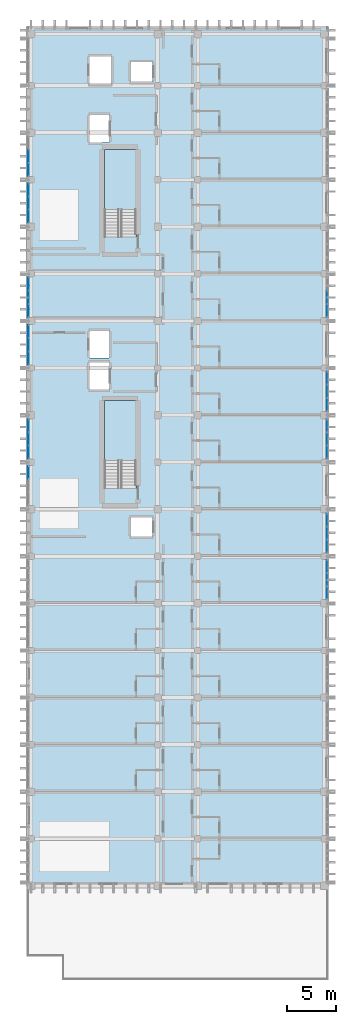
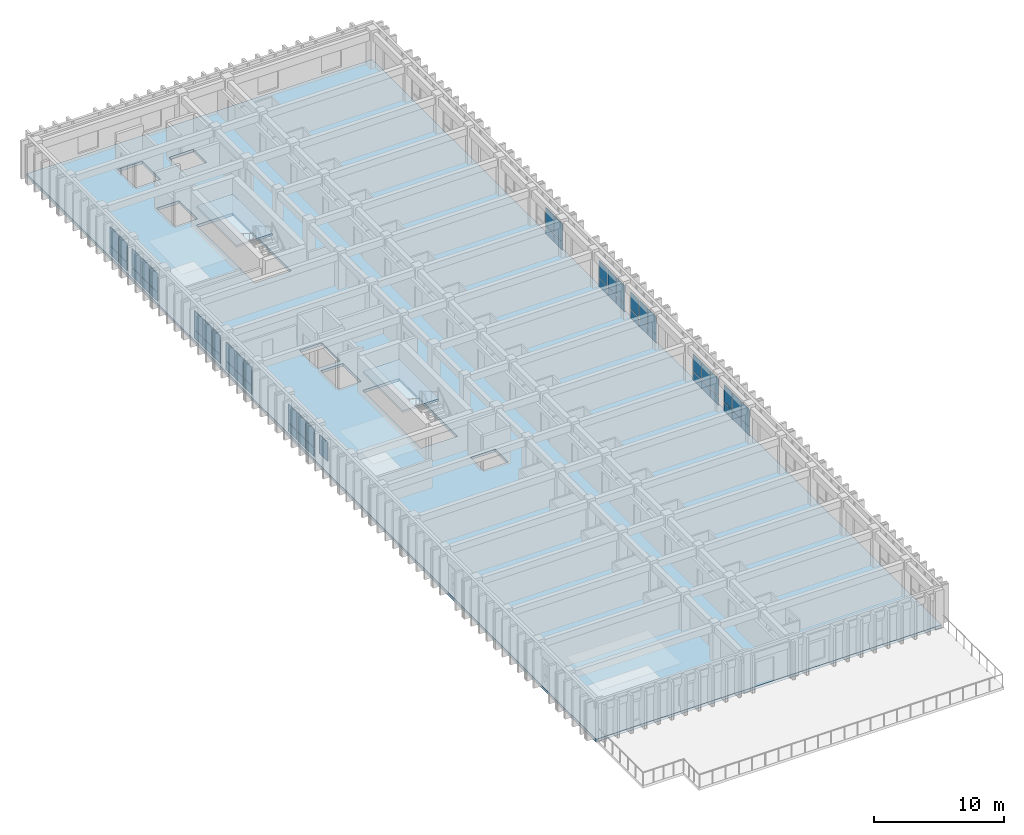
# One storey, part 48 of 64: 57 plates, 3 slabs, 13 elements without a shape of their own.
"""IFC4 building model written with IfcOpenShell, lengths in metres."""

import ifcopenshell
import ifcopenshell.guid

model = None  # the IFC model being written
_history = None  # IfcOwnerHistory: only IFC2X3 demands one
_inside = {}  # id of a spatial element -> (the spatial element, [elements in it])
_under = {}  # id of a project, library or spatial element -> (it, [spatial elements below it])
_declared = {}  # id of a project -> (the project, [libraries it declares])
_typed = {}  # id of a type object -> (the type object, [elements of that type])
_made_of = {}  # id of a material, layer set ... -> (it, [elements and type objects made of it])


def new_model(schema):
    """Start an empty IFC model of exactly this schema.

    Asked for "IFC4X3", IfcOpenShell would pick the latest addendum, in which some entities
    have other attributes; the version numbers below select the first issue.
    IFC2X3 requires an IfcOwnerHistory on every rooted entity: one is made here for all.
    """
    global model, _history
    if schema == "IFC4X3":
        model = ifcopenshell.file(schema_version=(4, 3, 0, 0))
    else:
        model = ifcopenshell.file(schema=schema)
    _inside.clear()
    _under.clear()
    _declared.clear()
    _typed.clear()
    _made_of.clear()
    _history = None
    if model.schema == "IFC2X3":
        org = make("IfcOrganization", Name="unknown")
        user = make(
            "IfcPersonAndOrganization",
            ThePerson=make("IfcPerson", FamilyName="unknown"),
            TheOrganization=org,
        )
        app = make(
            "IfcApplication",
            ApplicationDeveloper=org,
            Version="unknown",
            ApplicationFullName="unknown",
            ApplicationIdentifier="unknown",
        )
        _history = make(
            "IfcOwnerHistory",
            OwningUser=user,
            OwningApplication=app,
            ChangeAction="ADDED",
            CreationDate=0,
        )
    return model


def make(cls, **values):
    """One entity of the class cls with the attributes given. An attribute that is None is left unset."""
    return model.create_entity(
        cls, **{name: value for name, value in values.items() if value is not None}
    )


def rooted(cls, **values):
    """An entity with a GlobalId (a new one), such as an element, a storey or a relation."""
    return make(cls, GlobalId=ifcopenshell.guid.new(), OwnerHistory=_history, **values)


def si_unit(unit_type, name, prefix=None):
    """IfcSIUnit, for example si_unit("LENGTHUNIT", "METRE", prefix="MILLI")."""
    return make("IfcSIUnit", UnitType=unit_type, Prefix=prefix, Name=name)


def assignment(units):
    """IfcUnitAssignment: the units of a project."""
    return None if units is None else make("IfcUnitAssignment", Units=units)


def point(xyz):
    """IfcCartesianPoint."""
    return None if xyz is None else make("IfcCartesianPoint", Coordinates=xyz)


def direction(xyz):
    """IfcDirection."""
    return None if xyz is None else make("IfcDirection", DirectionRatios=xyz)


def frame(location, z_axis=None, x_axis=None):
    """IfcAxis2Placement3D, a coordinate frame: its origin and axes. An axis left out is left unset."""
    return make(
        "IfcAxis2Placement3D",
        Location=point(location),
        Axis=direction(z_axis),
        RefDirection=direction(x_axis),
    )


def frame_2d(location, x_axis=None):
    """IfcAxis2Placement2D, a coordinate frame in the plane: its origin and x axis."""
    return make(
        "IfcAxis2Placement2D", Location=point(location), RefDirection=direction(x_axis)
    )


def origin():
    """The frame at (0, 0, 0) with its axes left unset."""
    return frame((0.0, 0.0, 0.0))


def origin_2d():
    """The frame at (0, 0) in the plane with its x axis left unset."""
    return frame_2d((0.0, 0.0))


def place(relative_to, where):
    """IfcLocalPlacement: puts the frame where relative to a parent placement (None: the world)."""
    return make(
        "IfcLocalPlacement", PlacementRelTo=relative_to, RelativePlacement=where
    )


def context(
    kind, dimensions, precision=None, world=None, true_north=None, identifier=None
):
    """IfcGeometricRepresentationContext, for example the 3D "Model" context."""
    return make(
        "IfcGeometricRepresentationContext",
        ContextIdentifier=identifier,
        ContextType=kind,
        CoordinateSpaceDimension=dimensions,
        Precision=precision,
        WorldCoordinateSystem=world,
        TrueNorth=true_north,
    )


def subcontext(parent, identifier, kind, view, scale=None):
    """IfcGeometricRepresentationSubContext, for example "Body" below "Model"."""
    return make(
        "IfcGeometricRepresentationSubContext",
        ContextIdentifier=identifier,
        ContextType=kind,
        ParentContext=parent,
        TargetScale=scale,
        TargetView=view,
    )


def project(units=None, contexts=None):
    """IfcProject with its units and contexts."""
    return rooted(
        "IfcProject",
        Name="project",
        RepresentationContexts=contexts,
        UnitsInContext=assignment(units),
    )


def spatial(cls, under=None, at=None, **own):
    """A site, building, storey or space (cls), placed at a placement, below another one or the project."""
    s = rooted(cls, ObjectPlacement=at, **own)
    if under is not None:
        _under.setdefault(under.id(), (under, []))[1].append(s)
    return s


def polyline(points):
    """IfcPolyline through the points."""
    return make("IfcPolyline", Points=[point(p) for p in points])


def profile(cls, at=None, kind="AREA", **sizes):
    """A parametric profile (cls). Its sizes go by their IFC names, for example OverallWidth=200.0."""
    return make(cls, ProfileType=kind, Position=at, **sizes)


def rectangle(**sizes):
    """IfcRectangleProfileDef."""
    return profile("IfcRectangleProfileDef", **sizes)


def outline(outer, holes=None, kind="AREA"):
    """IfcArbitraryClosedProfileDef: a profile drawn as a closed curve; with holes, ...WithVoids."""
    if holes is None:
        return make("IfcArbitraryClosedProfileDef", ProfileType=kind, OuterCurve=outer)
    return make(
        "IfcArbitraryProfileDefWithVoids",
        ProfileType=kind,
        OuterCurve=outer,
        InnerCurves=holes,
    )


def extrude(swept, where, along, depth):
    """IfcExtrudedAreaSolid: the profile swept, set in the frame where, extruded along a direction by depth."""
    return make(
        "IfcExtrudedAreaSolid",
        SweptArea=swept,
        Position=where,
        ExtrudedDirection=direction(along),
        Depth=depth,
    )


def shape(context_of_items, identifier, shape_type, items):
    """IfcShapeRepresentation: the items that make up one representation, for example the "Body"."""
    return make(
        "IfcShapeRepresentation",
        ContextOfItems=context_of_items,
        RepresentationIdentifier=identifier,
        RepresentationType=shape_type,
        Items=items,
    )


def material(Name=None, Category=None):
    """IfcMaterial."""
    return make("IfcMaterial", Name=Name, Category=Category)


def layer(
    of_material, thickness, ventilated=None, Name=None, Category=None, Priority=None
):
    """IfcMaterialLayer: one layer of a wall or slab, of a material (None: an air gap)."""
    return make(
        "IfcMaterialLayer",
        Material=of_material,
        LayerThickness=thickness,
        IsVentilated=ventilated,
        Name=Name,
        Category=Category,
        Priority=Priority,
    )


def layer_set(layers, Name=None):
    """IfcMaterialLayerSet."""
    return make("IfcMaterialLayerSet", MaterialLayers=layers, LayerSetName=Name)


def made_of(thing, what):
    """Note that an element or type object is made of a material, layer set ...; save() writes the relation."""
    if what is not None:
        _made_of.setdefault(what.id(), (what, []))[1].append(thing)
    return thing


def type_object(cls, material=None, **own):
    """A type object (cls), such as IfcWallType, which elements share."""
    return made_of(rooted(cls, **own), material)


def element(
    cls,
    number,
    at=None,
    inside=None,
    cuts=None,
    type_object=None,
    material=None,
    context=None,
    identifier="Body",
    shape_type=None,
    held_by="IfcProductDefinitionShape",
    body=None,
    shapes=None,
    **own,
):
    """One element of the class cls, such as IfcWall. Its Tag is "e" and its number.

    at: its placement. inside: the storey or other place that contains it. cuts: it is an
    opening in that element (IfcRelVoidsElement). A single representation is given by context,
    identifier, shape_type and body (its items); several are given by shapes. held_by: the class
    of the entity that holds the representations. save() writes the other relations.
    """
    e = rooted(cls, Tag="e%d" % number, ObjectPlacement=at, **own)
    if body is not None:
        shapes = [shape(context, identifier, shape_type, body)]
    if shapes is not None:
        e.Representation = make(held_by, Representations=shapes)
    if inside is not None:
        _inside.setdefault(inside.id(), (inside, []))[1].append(e)
    if cuts is not None:
        rooted(
            "IfcRelVoidsElement", RelatingBuildingElement=cuts, RelatedOpeningElement=e
        )
    if type_object is not None:
        _typed.setdefault(type_object.id(), (type_object, []))[1].append(e)
    return made_of(e, material)


def aggregate(whole, parts):
    """IfcRelAggregates: a whole, such as a stair, and the parts it consists of."""
    return rooted("IfcRelAggregates", RelatingObject=whole, RelatedObjects=parts)


def save(model, path):
    """Write the relations noted so far, then the file.

    IfcRelAggregates (storeys below a building ...), IfcRelContainedInSpatialStructure (elements
    in a storey), IfcRelDefinesByType, IfcRelAssociatesMaterial and IfcRelDeclares: one each for
    every whole, place, type object, material and project.
    """
    for whole, parts in _under.values():
        aggregate(whole, parts)
    for where, things in _inside.values():
        rooted(
            "IfcRelContainedInSpatialStructure",
            RelatedElements=things,
            RelatingStructure=where,
        )
    for kind, things in _typed.values():
        rooted("IfcRelDefinesByType", RelatedObjects=things, RelatingType=kind)
    for what, things in _made_of.values():
        rooted("IfcRelAssociatesMaterial", RelatedObjects=things, RelatingMaterial=what)
    for by, libraries in _declared.values():
        rooted("IfcRelDeclares", RelatingContext=by, RelatedDefinitions=libraries)
    model.write(path)


model = new_model("IFC4")

# Units and contexts
model_context = context("Model", 3, precision=1e-05, world=origin(), true_north=direction((0.0, 1.0)))
body_context = subcontext(model_context, "Body", "Model", "MODEL_VIEW")
ifc_project = project(units=[si_unit("LENGTHUNIT", "METRE"), si_unit("AREAUNIT", "SQUARE_METRE"), si_unit("VOLUMEUNIT", "CUBIC_METRE"), si_unit("PLANEANGLEUNIT", "RADIAN"), si_unit("MASSUNIT", "GRAM", prefix="KILO")], contexts=[model_context])

# Site, building, storey
site_placement = place(None, origin())
site = spatial("IfcSite", under=ifc_project, at=site_placement, CompositionType="ELEMENT")
building_placement = place(site_placement, origin())
building = spatial("IfcBuilding", under=site, at=building_placement, Name="Nakhvara Creek Congress Hotel", CompositionType="ELEMENT")
storey_placement = place(building_placement, frame((0.0, 0.0, 28.199951171875)))
storey = spatial("IfcBuildingStorey", under=building, at=storey_placement, Name="L06", CompositionType="ELEMENT", Elevation=28.199951171875)

# Curtain wall, plates
ifc_material_1 = material(Name="Bronze-anodised aluminium AW-6063-T6 and double-silver low-E glass", Category="aluminium")
ifc_layer_1 = layer(ifc_material_1, 0.199951171875)
ifc_layer_set_1 = layer_set([ifc_layer_1], Name="Bronze-anodised aluminium AW-6063-T6 and double-silver low-E glass")
curtain_wall_type = type_object("IfcCurtainWallType", Name="CW-HTL-UNIT", PredefinedType="USERDEFINED", material=ifc_layer_set_1)
curtain_wall_1_placement = place(storey_placement, origin())
curtain_wall_1 = element("IfcCurtainWall", 1, at=curtain_wall_1_placement, inside=storey, type_object=curtain_wall_type, Name="Curtain Wall CW239", ObjectType="UNITISED", PredefinedType="USERDEFINED")
ifc_material_2 = material(Name="Double-silver solar-control low-E insulated glass", Category="glass")
plate_type_1 = type_object("IfcPlateType", Name="PNL-GLZ-120X250", PredefinedType="CURTAIN_PANEL", material=ifc_material_2)
plate_1_placement = place(storey_placement, frame((179.60009765625, 75.71533203125, 0.065185546875), z_axis=(0.0, 0.0, 1.0), x_axis=(0.0, -1.0, 0.0)))
plate_1 = element("IfcPlate", 2, at=plate_1_placement, type_object=plate_type_1, Name="CW239 panel 1.1", PredefinedType="CURTAIN_PANEL", context=body_context, shape_type="SweptSolid", body=[
    extrude(rectangle(XDim=1.25927734375, YDim=0.028076171875, at=origin_2d()), origin(), (0.0, 0.0, 1.0), 0.75244140625),
])
plate_2_placement = place(storey_placement, frame((179.60009765625, 75.71533203125, 0.88232421875), z_axis=(0.0, 0.0, 1.0), x_axis=(0.0, -1.0, 0.0)))
plate_2 = element("IfcPlate", 3, at=plate_2_placement, type_object=plate_type_1, Name="CW239 panel 1.2", PredefinedType="CURTAIN_PANEL", context=body_context, shape_type="SweptSolid", body=[
    extrude(rectangle(XDim=1.25927734375, YDim=0.028076171875, at=origin_2d()), origin(), (0.0, 0.0, 1.0), 1.634521484375),
])
plate_3_placement = place(storey_placement, frame((179.60009765625, 74.375, 0.065185546875), z_axis=(0.0, 0.0, 1.0), x_axis=(0.0, -1.0, 0.0)))
plate_3 = element("IfcPlate", 4, at=plate_3_placement, type_object=plate_type_1, Name="CW239 panel 2.1", PredefinedType="CURTAIN_PANEL", context=body_context, shape_type="SweptSolid", body=[
    extrude(rectangle(XDim=1.291748046875, YDim=0.028076171875, at=origin_2d()), origin(), (0.0, 0.0, 1.0), 0.75244140625),
])
plate_4_placement = place(storey_placement, frame((179.60009765625, 74.375, 0.88232421875), z_axis=(0.0, 0.0, 1.0), x_axis=(0.0, -1.0, 0.0)))
plate_4 = element("IfcPlate", 5, at=plate_4_placement, type_object=plate_type_1, Name="CW239 panel 2.2", PredefinedType="CURTAIN_PANEL", context=body_context, shape_type="SweptSolid", body=[
    extrude(rectangle(XDim=1.291748046875, YDim=0.028076171875, at=origin_2d()), origin(), (0.0, 0.0, 1.0), 1.634521484375),
])
plate_5_placement = place(storey_placement, frame((179.60009765625, 73.03466796875, 0.065185546875), z_axis=(0.0, 0.0, 1.0), x_axis=(0.0, -1.0, 0.0)))
plate_5 = element("IfcPlate", 6, at=plate_5_placement, type_object=plate_type_1, Name="CW239 panel 3.1", PredefinedType="CURTAIN_PANEL", context=body_context, shape_type="SweptSolid", body=[
    extrude(rectangle(XDim=1.25927734375, YDim=0.028076171875, at=origin_2d()), origin(), (0.0, 0.0, 1.0), 0.75244140625),
])
plate_6_placement = place(storey_placement, frame((179.60009765625, 73.03466796875, 0.88232421875), z_axis=(0.0, 0.0, 1.0), x_axis=(0.0, -1.0, 0.0)))
plate_6 = element("IfcPlate", 7, at=plate_6_placement, type_object=plate_type_1, Name="CW239 panel 3.2", PredefinedType="CURTAIN_PANEL", context=body_context, shape_type="SweptSolid", body=[
    extrude(rectangle(XDim=1.25927734375, YDim=0.028076171875, at=origin_2d()), origin(), (0.0, 0.0, 1.0), 1.634521484375),
])
aggregate(curtain_wall_1, [plate_1, plate_2, plate_3, plate_4, plate_5, plate_6])

# Curtain wall, plate
curtain_wall_2_placement = place(storey_placement, origin())
curtain_wall_2 = element("IfcCurtainWall", 8, at=curtain_wall_2_placement, inside=storey, type_object=curtain_wall_type, Name="Curtain Wall CW240", ObjectType="UNITISED", PredefinedType="USERDEFINED")
plate_7_placement = place(storey_placement, frame((149.199951171875, 80.5654296875, 0.88232421875), z_axis=(0.0, 0.0, 1.0), x_axis=(0.0, 1.0, 0.0)))
plate_7 = element("IfcPlate", 9, at=plate_7_placement, type_object=plate_type_1, Name="CW240 panel 3.2", PredefinedType="CURTAIN_PANEL", context=body_context, shape_type="SweptSolid", body=[
    extrude(rectangle(XDim=1.25927734375, YDim=0.028076171875, at=origin_2d()), origin(), (0.0, 0.0, 1.0), 1.734619140625),
])
aggregate(curtain_wall_2, [plate_7])

# Curtain wall, plates
curtain_wall_3_placement = place(storey_placement, origin())
curtain_wall_3 = element("IfcCurtainWall", 10, at=curtain_wall_3_placement, inside=storey, type_object=curtain_wall_type, Name="Curtain Wall CW241", ObjectType="UNITISED", PredefinedType="USERDEFINED")
plate_8_placement = place(storey_placement, frame((179.60009765625, 85.3154296875, 0.065185546875), z_axis=(0.0, 0.0, 1.0), x_axis=(0.0, -1.0, 0.0)))
plate_8 = element("IfcPlate", 11, at=plate_8_placement, type_object=plate_type_1, Name="CW241 panel 1.1", PredefinedType="CURTAIN_PANEL", context=body_context, shape_type="SweptSolid", body=[
    extrude(rectangle(XDim=1.25927734375, YDim=0.028076171875, at=origin_2d()), origin(), (0.0, 0.0, 1.0), 0.75244140625),
])
plate_9_placement = place(storey_placement, frame((179.60009765625, 85.3154296875, 0.88232421875), z_axis=(0.0, 0.0, 1.0), x_axis=(0.0, -1.0, 0.0)))
plate_9 = element("IfcPlate", 12, at=plate_9_placement, type_object=plate_type_1, Name="CW241 panel 1.2", PredefinedType="CURTAIN_PANEL", context=body_context, shape_type="SweptSolid", body=[
    extrude(rectangle(XDim=1.25927734375, YDim=0.028076171875, at=origin_2d()), origin(), (0.0, 0.0, 1.0), 1.634521484375),
])
plate_10_placement = place(storey_placement, frame((179.60009765625, 83.97509765625, 0.065185546875), z_axis=(0.0, 0.0, 1.0), x_axis=(0.0, -1.0, 0.0)))
plate_10 = element("IfcPlate", 13, at=plate_10_placement, type_object=plate_type_1, Name="CW241 panel 2.1", PredefinedType="CURTAIN_PANEL", context=body_context, shape_type="SweptSolid", body=[
    extrude(rectangle(XDim=1.291748046875, YDim=0.028076171875, at=origin_2d()), origin(), (0.0, 0.0, 1.0), 0.75244140625),
])
plate_11_placement = place(storey_placement, frame((179.60009765625, 83.97509765625, 0.88232421875), z_axis=(0.0, 0.0, 1.0), x_axis=(0.0, -1.0, 0.0)))
plate_11 = element("IfcPlate", 14, at=plate_11_placement, type_object=plate_type_1, Name="CW241 panel 2.2", PredefinedType="CURTAIN_PANEL", context=body_context, shape_type="SweptSolid", body=[
    extrude(rectangle(XDim=1.291748046875, YDim=0.028076171875, at=origin_2d()), origin(), (0.0, 0.0, 1.0), 1.634521484375),
])
plate_12_placement = place(storey_placement, frame((179.60009765625, 82.634521484375, 0.065185546875), z_axis=(0.0, 0.0, 1.0), x_axis=(0.0, -1.0, 0.0)))
plate_12 = element("IfcPlate", 15, at=plate_12_placement, type_object=plate_type_1, Name="CW241 panel 3.1", PredefinedType="CURTAIN_PANEL", context=body_context, shape_type="SweptSolid", body=[
    extrude(rectangle(XDim=1.25927734375, YDim=0.028076171875, at=origin_2d()), origin(), (0.0, 0.0, 1.0), 0.75244140625),
])
plate_13_placement = place(storey_placement, frame((179.60009765625, 82.634521484375, 0.88232421875), z_axis=(0.0, 0.0, 1.0), x_axis=(0.0, -1.0, 0.0)))
plate_13 = element("IfcPlate", 16, at=plate_13_placement, type_object=plate_type_1, Name="CW241 panel 3.2", PredefinedType="CURTAIN_PANEL", context=body_context, shape_type="SweptSolid", body=[
    extrude(rectangle(XDim=1.25927734375, YDim=0.028076171875, at=origin_2d()), origin(), (0.0, 0.0, 1.0), 1.634521484375),
])
aggregate(curtain_wall_3, [plate_8, plate_9, plate_10, plate_11, plate_12, plate_13])

curtain_wall_4_placement = place(storey_placement, origin())
curtain_wall_4 = element("IfcCurtainWall", 17, at=curtain_wall_4_placement, inside=storey, type_object=curtain_wall_type, Name="Curtain Wall CW242", ObjectType="UNITISED", PredefinedType="USERDEFINED")
plate_14_placement = place(storey_placement, frame((149.199951171875, 82.634521484375, 0.065185546875), z_axis=(0.0, 0.0, 1.0), x_axis=(0.0, 1.0, 0.0)))
plate_14 = element("IfcPlate", 18, at=plate_14_placement, type_object=plate_type_1, Name="CW242 panel 1.1", PredefinedType="CURTAIN_PANEL", context=body_context, shape_type="SweptSolid", body=[
    extrude(rectangle(XDim=1.25927734375, YDim=0.028076171875, at=origin_2d()), origin(), (0.0, 0.0, 1.0), 0.75244140625),
])
plate_15_placement = place(storey_placement, frame((149.199951171875, 82.634521484375, 0.88232421875), z_axis=(0.0, 0.0, 1.0), x_axis=(0.0, 1.0, 0.0)))
plate_15 = element("IfcPlate", 19, at=plate_15_placement, type_object=plate_type_1, Name="CW242 panel 1.2", PredefinedType="CURTAIN_PANEL", context=body_context, shape_type="SweptSolid", body=[
    extrude(rectangle(XDim=1.25927734375, YDim=0.028076171875, at=origin_2d()), origin(), (0.0, 0.0, 1.0), 1.734619140625),
])
plate_16_placement = place(storey_placement, frame((149.199951171875, 83.97509765625, 0.065185546875), z_axis=(0.0, 0.0, 1.0), x_axis=(0.0, 1.0, 0.0)))
plate_16 = element("IfcPlate", 20, at=plate_16_placement, type_object=plate_type_1, Name="CW242 panel 2.1", PredefinedType="CURTAIN_PANEL", context=body_context, shape_type="SweptSolid", body=[
    extrude(rectangle(XDim=1.291748046875, YDim=0.028076171875, at=origin_2d()), origin(), (0.0, 0.0, 1.0), 0.75244140625),
])
plate_17_placement = place(storey_placement, frame((149.199951171875, 83.97509765625, 0.88232421875), z_axis=(0.0, 0.0, 1.0), x_axis=(0.0, 1.0, 0.0)))
plate_17 = element("IfcPlate", 21, at=plate_17_placement, type_object=plate_type_1, Name="CW242 panel 2.2", PredefinedType="CURTAIN_PANEL", context=body_context, shape_type="SweptSolid", body=[
    extrude(rectangle(XDim=1.291748046875, YDim=0.028076171875, at=origin_2d()), origin(), (0.0, 0.0, 1.0), 1.734619140625),
])
plate_18_placement = place(storey_placement, frame((149.199951171875, 85.3154296875, 0.065185546875), z_axis=(0.0, 0.0, 1.0), x_axis=(0.0, 1.0, 0.0)))
plate_18 = element("IfcPlate", 22, at=plate_18_placement, type_object=plate_type_1, Name="CW242 panel 3.1", PredefinedType="CURTAIN_PANEL", context=body_context, shape_type="SweptSolid", body=[
    extrude(rectangle(XDim=1.25927734375, YDim=0.028076171875, at=origin_2d()), origin(), (0.0, 0.0, 1.0), 0.75244140625),
])
plate_19_placement = place(storey_placement, frame((149.199951171875, 85.3154296875, 0.88232421875), z_axis=(0.0, 0.0, 1.0), x_axis=(0.0, 1.0, 0.0)))
plate_19 = element("IfcPlate", 23, at=plate_19_placement, type_object=plate_type_1, Name="CW242 panel 3.2", PredefinedType="CURTAIN_PANEL", context=body_context, shape_type="SweptSolid", body=[
    extrude(rectangle(XDim=1.25927734375, YDim=0.028076171875, at=origin_2d()), origin(), (0.0, 0.0, 1.0), 1.734619140625),
])
aggregate(curtain_wall_4, [plate_14, plate_15, plate_16, plate_17, plate_18, plate_19])

curtain_wall_5_placement = place(storey_placement, origin())
curtain_wall_5 = element("IfcCurtainWall", 24, at=curtain_wall_5_placement, inside=storey, type_object=curtain_wall_type, Name="Curtain Wall CW243", ObjectType="UNITISED", PredefinedType="USERDEFINED")
plate_20_placement = place(storey_placement, frame((179.60009765625, 90.16552734375, 0.065185546875), z_axis=(0.0, 0.0, 1.0), x_axis=(0.0, -1.0, 0.0)))
plate_20 = element("IfcPlate", 25, at=plate_20_placement, type_object=plate_type_1, Name="CW243 panel 1.1", PredefinedType="CURTAIN_PANEL", context=body_context, shape_type="SweptSolid", body=[
    extrude(rectangle(XDim=1.25927734375, YDim=0.028076171875, at=origin_2d()), origin(), (0.0, 0.0, 1.0), 0.75244140625),
])
plate_21_placement = place(storey_placement, frame((179.60009765625, 90.16552734375, 0.88232421875), z_axis=(0.0, 0.0, 1.0), x_axis=(0.0, -1.0, 0.0)))
plate_21 = element("IfcPlate", 26, at=plate_21_placement, type_object=plate_type_1, Name="CW243 panel 1.2", PredefinedType="CURTAIN_PANEL", context=body_context, shape_type="SweptSolid", body=[
    extrude(rectangle(XDim=1.25927734375, YDim=0.028076171875, at=origin_2d()), origin(), (0.0, 0.0, 1.0), 1.634521484375),
])
plate_22_placement = place(storey_placement, frame((179.60009765625, 88.824951171875, 0.065185546875), z_axis=(0.0, 0.0, 1.0), x_axis=(0.0, -1.0, 0.0)))
plate_22 = element("IfcPlate", 27, at=plate_22_placement, type_object=plate_type_1, Name="CW243 panel 2.1", PredefinedType="CURTAIN_PANEL", context=body_context, shape_type="SweptSolid", body=[
    extrude(rectangle(XDim=1.291748046875, YDim=0.028076171875, at=origin_2d()), origin(), (0.0, 0.0, 1.0), 0.75244140625),
])
plate_23_placement = place(storey_placement, frame((179.60009765625, 88.824951171875, 0.88232421875), z_axis=(0.0, 0.0, 1.0), x_axis=(0.0, -1.0, 0.0)))
plate_23 = element("IfcPlate", 28, at=plate_23_placement, type_object=plate_type_1, Name="CW243 panel 2.2", PredefinedType="CURTAIN_PANEL", context=body_context, shape_type="SweptSolid", body=[
    extrude(rectangle(XDim=1.291748046875, YDim=0.028076171875, at=origin_2d()), origin(), (0.0, 0.0, 1.0), 1.634521484375),
])
plate_24_placement = place(storey_placement, frame((179.60009765625, 87.484619140625, 0.065185546875), z_axis=(0.0, 0.0, 1.0), x_axis=(0.0, -1.0, 0.0)))
plate_24 = element("IfcPlate", 29, at=plate_24_placement, type_object=plate_type_1, Name="CW243 panel 3.1", PredefinedType="CURTAIN_PANEL", context=body_context, shape_type="SweptSolid", body=[
    extrude(rectangle(XDim=1.25927734375, YDim=0.028076171875, at=origin_2d()), origin(), (0.0, 0.0, 1.0), 0.75244140625),
])
plate_25_placement = place(storey_placement, frame((179.60009765625, 87.484619140625, 0.88232421875), z_axis=(0.0, 0.0, 1.0), x_axis=(0.0, -1.0, 0.0)))
plate_25 = element("IfcPlate", 30, at=plate_25_placement, type_object=plate_type_1, Name="CW243 panel 3.2", PredefinedType="CURTAIN_PANEL", context=body_context, shape_type="SweptSolid", body=[
    extrude(rectangle(XDim=1.25927734375, YDim=0.028076171875, at=origin_2d()), origin(), (0.0, 0.0, 1.0), 1.634521484375),
])
aggregate(curtain_wall_5, [plate_20, plate_21, plate_22, plate_23, plate_24, plate_25])

curtain_wall_6_placement = place(storey_placement, origin())
curtain_wall_6 = element("IfcCurtainWall", 31, at=curtain_wall_6_placement, inside=storey, type_object=curtain_wall_type, Name="Curtain Wall CW244", ObjectType="UNITISED", PredefinedType="USERDEFINED")
plate_26_placement = place(storey_placement, frame((149.199951171875, 92.234619140625, 0.065185546875), z_axis=(0.0, 0.0, 1.0), x_axis=(0.0, 1.0, 0.0)))
plate_26 = element("IfcPlate", 32, at=plate_26_placement, type_object=plate_type_1, Name="CW244 panel 1.1", PredefinedType="CURTAIN_PANEL", context=body_context, shape_type="SweptSolid", body=[
    extrude(rectangle(XDim=1.25927734375, YDim=0.028076171875, at=origin_2d()), origin(), (0.0, 0.0, 1.0), 0.75244140625),
])
plate_27_placement = place(storey_placement, frame((149.199951171875, 92.234619140625, 0.88232421875), z_axis=(0.0, 0.0, 1.0), x_axis=(0.0, 1.0, 0.0)))
plate_27 = element("IfcPlate", 33, at=plate_27_placement, type_object=plate_type_1, Name="CW244 panel 1.2", PredefinedType="CURTAIN_PANEL", context=body_context, shape_type="SweptSolid", body=[
    extrude(rectangle(XDim=1.25927734375, YDim=0.028076171875, at=origin_2d()), origin(), (0.0, 0.0, 1.0), 1.734619140625),
])
plate_28_placement = place(storey_placement, frame((149.199951171875, 93.574951171875, 0.065185546875), z_axis=(0.0, 0.0, 1.0), x_axis=(0.0, 1.0, 0.0)))
plate_28 = element("IfcPlate", 34, at=plate_28_placement, type_object=plate_type_1, Name="CW244 panel 2.1", PredefinedType="CURTAIN_PANEL", context=body_context, shape_type="SweptSolid", body=[
    extrude(rectangle(XDim=1.291748046875, YDim=0.028076171875, at=origin_2d()), origin(), (0.0, 0.0, 1.0), 0.75244140625),
])
plate_29_placement = place(storey_placement, frame((149.199951171875, 93.574951171875, 0.88232421875), z_axis=(0.0, 0.0, 1.0), x_axis=(0.0, 1.0, 0.0)))
plate_29 = element("IfcPlate", 35, at=plate_29_placement, type_object=plate_type_1, Name="CW244 panel 2.2", PredefinedType="CURTAIN_PANEL", context=body_context, shape_type="SweptSolid", body=[
    extrude(rectangle(XDim=1.291748046875, YDim=0.028076171875, at=origin_2d()), origin(), (0.0, 0.0, 1.0), 1.734619140625),
])
plate_30_placement = place(storey_placement, frame((149.199951171875, 94.91552734375, 0.065185546875), z_axis=(0.0, 0.0, 1.0), x_axis=(0.0, 1.0, 0.0)))
plate_30 = element("IfcPlate", 36, at=plate_30_placement, type_object=plate_type_1, Name="CW244 panel 3.1", PredefinedType="CURTAIN_PANEL", context=body_context, shape_type="SweptSolid", body=[
    extrude(rectangle(XDim=1.25927734375, YDim=0.028076171875, at=origin_2d()), origin(), (0.0, 0.0, 1.0), 0.75244140625),
])
plate_31_placement = place(storey_placement, frame((149.199951171875, 94.91552734375, 0.88232421875), z_axis=(0.0, 0.0, 1.0), x_axis=(0.0, 1.0, 0.0)))
plate_31 = element("IfcPlate", 37, at=plate_31_placement, type_object=plate_type_1, Name="CW244 panel 3.2", PredefinedType="CURTAIN_PANEL", context=body_context, shape_type="SweptSolid", body=[
    extrude(rectangle(XDim=1.25927734375, YDim=0.028076171875, at=origin_2d()), origin(), (0.0, 0.0, 1.0), 1.734619140625),
])
aggregate(curtain_wall_6, [plate_26, plate_27, plate_28, plate_29, plate_30, plate_31])

curtain_wall_7_placement = place(storey_placement, origin())
curtain_wall_7 = element("IfcCurtainWall", 38, at=curtain_wall_7_placement, inside=storey, type_object=curtain_wall_type, Name="Curtain Wall CW248", ObjectType="UNITISED", PredefinedType="USERDEFINED")
plate_32_placement = place(storey_placement, frame((149.199951171875, 106.6845703125, 0.065185546875), z_axis=(0.0, 0.0, 1.0), x_axis=(0.0, 1.0, 0.0)))
plate_32 = element("IfcPlate", 39, at=plate_32_placement, type_object=plate_type_1, Name="CW248 panel 1.1", PredefinedType="CURTAIN_PANEL", context=body_context, shape_type="SweptSolid", body=[
    extrude(rectangle(XDim=1.25927734375, YDim=0.028076171875, at=origin_2d()), origin(), (0.0, 0.0, 1.0), 0.75244140625),
])
plate_33_placement = place(storey_placement, frame((149.199951171875, 106.6845703125, 0.88232421875), z_axis=(0.0, 0.0, 1.0), x_axis=(0.0, 1.0, 0.0)))
plate_33 = element("IfcPlate", 40, at=plate_33_placement, type_object=plate_type_1, Name="CW248 panel 1.2", PredefinedType="CURTAIN_PANEL", context=body_context, shape_type="SweptSolid", body=[
    extrude(rectangle(XDim=1.25927734375, YDim=0.028076171875, at=origin_2d()), origin(), (0.0, 0.0, 1.0), 1.734619140625),
])
plate_34_placement = place(storey_placement, frame((149.199951171875, 108.02490234375, 0.065185546875), z_axis=(0.0, 0.0, 1.0), x_axis=(0.0, 1.0, 0.0)))
plate_34 = element("IfcPlate", 41, at=plate_34_placement, type_object=plate_type_1, Name="CW248 panel 2.1", PredefinedType="CURTAIN_PANEL", context=body_context, shape_type="SweptSolid", body=[
    extrude(rectangle(XDim=1.291748046875, YDim=0.028076171875, at=origin_2d()), origin(), (0.0, 0.0, 1.0), 0.75244140625),
])
plate_35_placement = place(storey_placement, frame((149.199951171875, 108.02490234375, 0.88232421875), z_axis=(0.0, 0.0, 1.0), x_axis=(0.0, 1.0, 0.0)))
plate_35 = element("IfcPlate", 42, at=plate_35_placement, type_object=plate_type_1, Name="CW248 panel 2.2", PredefinedType="CURTAIN_PANEL", context=body_context, shape_type="SweptSolid", body=[
    extrude(rectangle(XDim=1.291748046875, YDim=0.028076171875, at=origin_2d()), origin(), (0.0, 0.0, 1.0), 1.734619140625),
])
plate_36_placement = place(storey_placement, frame((149.199951171875, 109.365478515625, 0.065185546875), z_axis=(0.0, 0.0, 1.0), x_axis=(0.0, 1.0, 0.0)))
plate_36 = element("IfcPlate", 43, at=plate_36_placement, type_object=plate_type_1, Name="CW248 panel 3.1", PredefinedType="CURTAIN_PANEL", context=body_context, shape_type="SweptSolid", body=[
    extrude(rectangle(XDim=1.25927734375, YDim=0.028076171875, at=origin_2d()), origin(), (0.0, 0.0, 1.0), 0.75244140625),
])
plate_37_placement = place(storey_placement, frame((149.199951171875, 109.365478515625, 0.88232421875), z_axis=(0.0, 0.0, 1.0), x_axis=(0.0, 1.0, 0.0)))
plate_37 = element("IfcPlate", 44, at=plate_37_placement, type_object=plate_type_1, Name="CW248 panel 3.2", PredefinedType="CURTAIN_PANEL", context=body_context, shape_type="SweptSolid", body=[
    extrude(rectangle(XDim=1.25927734375, YDim=0.028076171875, at=origin_2d()), origin(), (0.0, 0.0, 1.0), 1.734619140625),
])
aggregate(curtain_wall_7, [plate_32, plate_33, plate_34, plate_35, plate_36, plate_37])

curtain_wall_8_placement = place(storey_placement, origin())
curtain_wall_8 = element("IfcCurtainWall", 45, at=curtain_wall_8_placement, inside=storey, type_object=curtain_wall_type, Name="Curtain Wall CW250", ObjectType="UNITISED", PredefinedType="USERDEFINED")
plate_38_placement = place(storey_placement, frame((149.199951171875, 111.4345703125, 0.065185546875), z_axis=(0.0, 0.0, 1.0), x_axis=(0.0, 1.0, 0.0)))
plate_38 = element("IfcPlate", 46, at=plate_38_placement, type_object=plate_type_1, Name="CW250 panel 1.1", PredefinedType="CURTAIN_PANEL", context=body_context, shape_type="SweptSolid", body=[
    extrude(rectangle(XDim=1.25927734375, YDim=0.028076171875, at=origin_2d()), origin(), (0.0, 0.0, 1.0), 0.75244140625),
])
plate_39_placement = place(storey_placement, frame((149.199951171875, 111.4345703125, 0.88232421875), z_axis=(0.0, 0.0, 1.0), x_axis=(0.0, 1.0, 0.0)))
plate_39 = element("IfcPlate", 47, at=plate_39_placement, type_object=plate_type_1, Name="CW250 panel 1.2", PredefinedType="CURTAIN_PANEL", context=body_context, shape_type="SweptSolid", body=[
    extrude(rectangle(XDim=1.25927734375, YDim=0.028076171875, at=origin_2d()), origin(), (0.0, 0.0, 1.0), 1.734619140625),
])
plate_40_placement = place(storey_placement, frame((149.199951171875, 112.77490234375, 0.065185546875), z_axis=(0.0, 0.0, 1.0), x_axis=(0.0, 1.0, 0.0)))
plate_40 = element("IfcPlate", 48, at=plate_40_placement, type_object=plate_type_1, Name="CW250 panel 2.1", PredefinedType="CURTAIN_PANEL", context=body_context, shape_type="SweptSolid", body=[
    extrude(rectangle(XDim=1.291748046875, YDim=0.028076171875, at=origin_2d()), origin(), (0.0, 0.0, 1.0), 0.75244140625),
])
plate_41_placement = place(storey_placement, frame((149.199951171875, 112.77490234375, 0.88232421875), z_axis=(0.0, 0.0, 1.0), x_axis=(0.0, 1.0, 0.0)))
plate_41 = element("IfcPlate", 49, at=plate_41_placement, type_object=plate_type_1, Name="CW250 panel 2.2", PredefinedType="CURTAIN_PANEL", context=body_context, shape_type="SweptSolid", body=[
    extrude(rectangle(XDim=1.291748046875, YDim=0.028076171875, at=origin_2d()), origin(), (0.0, 0.0, 1.0), 1.734619140625),
])
aggregate(curtain_wall_8, [plate_38, plate_39, plate_40, plate_41])

curtain_wall_9_placement = place(storey_placement, origin())
curtain_wall_9 = element("IfcCurtainWall", 50, at=curtain_wall_9_placement, inside=storey, type_object=curtain_wall_type, Name="Curtain Wall CW237", ObjectType="UNITISED", PredefinedType="USERDEFINED")
ifc_material_3 = material(Name="Back-insulated bronze spandrel glass panel", Category="glass")
plate_type_2 = type_object("IfcPlateType", Name="PNL-SPN-120X080", PredefinedType="CURTAIN_PANEL", material=ifc_material_3)
plate_42_placement = place(storey_placement, frame((179.60009765625, 70.96533203125, 0.065185546875), z_axis=(0.0, 0.0, 1.0), x_axis=(0.0, -1.0, 0.0)))
plate_42 = element("IfcPlate", 51, at=plate_42_placement, type_object=plate_type_2, Name="CW237 panel 1.1", PredefinedType="CURTAIN_PANEL", context=body_context, shape_type="SweptSolid", body=[
    extrude(rectangle(XDim=1.25927734375, YDim=0.0419921875, at=origin_2d()), origin(), (0.0, 0.0, 1.0), 0.75244140625),
])
plate_43_placement = place(storey_placement, frame((179.60009765625, 70.96533203125, 0.88232421875), z_axis=(0.0, 0.0, 1.0), x_axis=(0.0, -1.0, 0.0)))
plate_43 = element("IfcPlate", 52, at=plate_43_placement, type_object=plate_type_2, Name="CW237 panel 1.2", PredefinedType="CURTAIN_PANEL", context=body_context, shape_type="SweptSolid", body=[
    extrude(rectangle(XDim=1.25927734375, YDim=0.0419921875, at=origin_2d()), origin(), (0.0, 0.0, 1.0), 1.634521484375),
])
plate_44_placement = place(storey_placement, frame((179.60009765625, 69.625, 0.065185546875), z_axis=(0.0, 0.0, 1.0), x_axis=(0.0, -1.0, 0.0)))
plate_44 = element("IfcPlate", 53, at=plate_44_placement, type_object=plate_type_2, Name="CW237 panel 2.1", PredefinedType="CURTAIN_PANEL", context=body_context, shape_type="SweptSolid", body=[
    extrude(rectangle(XDim=1.291748046875, YDim=0.0419921875, at=origin_2d()), origin(), (0.0, 0.0, 1.0), 0.75244140625),
])
plate_45_placement = place(storey_placement, frame((179.60009765625, 69.625, 0.88232421875), z_axis=(0.0, 0.0, 1.0), x_axis=(0.0, -1.0, 0.0)))
plate_45 = element("IfcPlate", 54, at=plate_45_placement, type_object=plate_type_2, Name="CW237 panel 2.2", PredefinedType="CURTAIN_PANEL", context=body_context, shape_type="SweptSolid", body=[
    extrude(rectangle(XDim=1.291748046875, YDim=0.0419921875, at=origin_2d()), origin(), (0.0, 0.0, 1.0), 1.634521484375),
])
plate_46_placement = place(storey_placement, frame((179.60009765625, 68.28466796875, 0.065185546875), z_axis=(0.0, 0.0, 1.0), x_axis=(0.0, -1.0, 0.0)))
plate_46 = element("IfcPlate", 55, at=plate_46_placement, type_object=plate_type_2, Name="CW237 panel 3.1", PredefinedType="CURTAIN_PANEL", context=body_context, shape_type="SweptSolid", body=[
    extrude(rectangle(XDim=1.25927734375, YDim=0.0419921875, at=origin_2d()), origin(), (0.0, 0.0, 1.0), 0.75244140625),
])
plate_47_placement = place(storey_placement, frame((179.60009765625, 68.28466796875, 0.88232421875), z_axis=(0.0, 0.0, 1.0), x_axis=(0.0, -1.0, 0.0)))
plate_47 = element("IfcPlate", 56, at=plate_47_placement, type_object=plate_type_2, Name="CW237 panel 3.2", PredefinedType="CURTAIN_PANEL", context=body_context, shape_type="SweptSolid", body=[
    extrude(rectangle(XDim=1.25927734375, YDim=0.0419921875, at=origin_2d()), origin(), (0.0, 0.0, 1.0), 1.634521484375),
])
aggregate(curtain_wall_9, [plate_42, plate_43, plate_44, plate_45, plate_46, plate_47])

curtain_wall_10_placement = place(storey_placement, origin())
curtain_wall_10 = element("IfcCurtainWall", 57, at=curtain_wall_10_placement, inside=storey, type_object=curtain_wall_type, Name="Curtain Wall CW245", ObjectType="UNITISED", PredefinedType="USERDEFINED")
plate_48_placement = place(storey_placement, frame((179.60009765625, 98.425048828125, 0.065185546875), z_axis=(0.0, 0.0, 1.0), x_axis=(0.0, -1.0, 0.0)))
plate_48 = element("IfcPlate", 58, at=plate_48_placement, type_object=plate_type_2, Name="CW245 panel 2.1", PredefinedType="CURTAIN_PANEL", context=body_context, shape_type="SweptSolid", body=[
    extrude(rectangle(XDim=1.291748046875, YDim=0.0419921875, at=origin_2d()), origin(), (0.0, 0.0, 1.0), 0.75244140625),
])
plate_49_placement = place(storey_placement, frame((179.60009765625, 98.425048828125, 0.88232421875), z_axis=(0.0, 0.0, 1.0), x_axis=(0.0, -1.0, 0.0)))
plate_49 = element("IfcPlate", 59, at=plate_49_placement, type_object=plate_type_2, Name="CW245 panel 2.2", PredefinedType="CURTAIN_PANEL", context=body_context, shape_type="SweptSolid", body=[
    extrude(rectangle(XDim=1.291748046875, YDim=0.0419921875, at=origin_2d()), origin(), (0.0, 0.0, 1.0), 1.634521484375),
])
plate_50_placement = place(storey_placement, frame((179.60009765625, 97.08447265625, 0.065185546875), z_axis=(0.0, 0.0, 1.0), x_axis=(0.0, -1.0, 0.0)))
plate_50 = element("IfcPlate", 60, at=plate_50_placement, type_object=plate_type_2, Name="CW245 panel 3.1", PredefinedType="CURTAIN_PANEL", context=body_context, shape_type="SweptSolid", body=[
    extrude(rectangle(XDim=1.25927734375, YDim=0.0419921875, at=origin_2d()), origin(), (0.0, 0.0, 1.0), 0.75244140625),
])
plate_51_placement = place(storey_placement, frame((179.60009765625, 97.08447265625, 0.88232421875), z_axis=(0.0, 0.0, 1.0), x_axis=(0.0, -1.0, 0.0)))
plate_51 = element("IfcPlate", 61, at=plate_51_placement, type_object=plate_type_2, Name="CW245 panel 3.2", PredefinedType="CURTAIN_PANEL", context=body_context, shape_type="SweptSolid", body=[
    extrude(rectangle(XDim=1.25927734375, YDim=0.0419921875, at=origin_2d()), origin(), (0.0, 0.0, 1.0), 1.634521484375),
])
aggregate(curtain_wall_10, [plate_48, plate_49, plate_50, plate_51])

curtain_wall_11_placement = place(storey_placement, origin())
curtain_wall_11 = element("IfcCurtainWall", 62, at=curtain_wall_11_placement, inside=storey, type_object=curtain_wall_type, Name="Curtain Wall CW246", ObjectType="UNITISED", PredefinedType="USERDEFINED")
plate_52_placement = place(storey_placement, frame((149.199951171875, 97.08447265625, 0.065185546875), z_axis=(0.0, 0.0, 1.0), x_axis=(0.0, 1.0, 0.0)))
plate_52 = element("IfcPlate", 63, at=plate_52_placement, type_object=plate_type_2, Name="CW246 panel 1.1", PredefinedType="CURTAIN_PANEL", context=body_context, shape_type="SweptSolid", body=[
    extrude(rectangle(XDim=1.25927734375, YDim=0.0419921875, at=origin_2d()), origin(), (0.0, 0.0, 1.0), 0.75244140625),
])
plate_53_placement = place(storey_placement, frame((149.199951171875, 97.08447265625, 0.88232421875), z_axis=(0.0, 0.0, 1.0), x_axis=(0.0, 1.0, 0.0)))
plate_53 = element("IfcPlate", 64, at=plate_53_placement, type_object=plate_type_2, Name="CW246 panel 1.2", PredefinedType="CURTAIN_PANEL", context=body_context, shape_type="SweptSolid", body=[
    extrude(rectangle(XDim=1.25927734375, YDim=0.0419921875, at=origin_2d()), origin(), (0.0, 0.0, 1.0), 1.734619140625),
])
plate_54_placement = place(storey_placement, frame((149.199951171875, 98.425048828125, 0.065185546875), z_axis=(0.0, 0.0, 1.0), x_axis=(0.0, 1.0, 0.0)))
plate_54 = element("IfcPlate", 65, at=plate_54_placement, type_object=plate_type_2, Name="CW246 panel 2.1", PredefinedType="CURTAIN_PANEL", context=body_context, shape_type="SweptSolid", body=[
    extrude(rectangle(XDim=1.291748046875, YDim=0.0419921875, at=origin_2d()), origin(), (0.0, 0.0, 1.0), 0.75244140625),
])
plate_55_placement = place(storey_placement, frame((149.199951171875, 98.425048828125, 0.88232421875), z_axis=(0.0, 0.0, 1.0), x_axis=(0.0, 1.0, 0.0)))
plate_55 = element("IfcPlate", 66, at=plate_55_placement, type_object=plate_type_2, Name="CW246 panel 2.2", PredefinedType="CURTAIN_PANEL", context=body_context, shape_type="SweptSolid", body=[
    extrude(rectangle(XDim=1.291748046875, YDim=0.0419921875, at=origin_2d()), origin(), (0.0, 0.0, 1.0), 1.734619140625),
])
plate_56_placement = place(storey_placement, frame((149.199951171875, 99.765380859375, 0.065185546875), z_axis=(0.0, 0.0, 1.0), x_axis=(0.0, 1.0, 0.0)))
plate_56 = element("IfcPlate", 67, at=plate_56_placement, type_object=plate_type_2, Name="CW246 panel 3.1", PredefinedType="CURTAIN_PANEL", context=body_context, shape_type="SweptSolid", body=[
    extrude(rectangle(XDim=1.25927734375, YDim=0.0419921875, at=origin_2d()), origin(), (0.0, 0.0, 1.0), 0.75244140625),
])
plate_57_placement = place(storey_placement, frame((149.199951171875, 99.765380859375, 0.88232421875), z_axis=(0.0, 0.0, 1.0), x_axis=(0.0, 1.0, 0.0)))
plate_57 = element("IfcPlate", 68, at=plate_57_placement, type_object=plate_type_2, Name="CW246 panel 3.2", PredefinedType="CURTAIN_PANEL", context=body_context, shape_type="SweptSolid", body=[
    extrude(rectangle(XDim=1.25927734375, YDim=0.0419921875, at=origin_2d()), origin(), (0.0, 0.0, 1.0), 1.734619140625),
])
aggregate(curtain_wall_11, [plate_52, plate_53, plate_54, plate_55, plate_56, plate_57])

# Slab
ifc_material_4 = material(Name="Concrete C40/50", Category="concrete")
ifc_layer_2 = layer(ifc_material_4, 0.260009765625)
ifc_layer_set_2 = layer_set([ifc_layer_2], Name="Concrete C40/50")
slab_type_1 = type_object("IfcSlabType", Name="SL-FLR-260", PredefinedType="FLOOR", material=ifc_layer_set_2)
slab_1_placement = place(storey_placement, frame((0.0, 0.0, -0.260009765625)))
element("IfcSlab", 69, at=slab_1_placement, inside=storey, type_object=slab_type_1, Name="Structural Slab SLB-L06-V5", PredefinedType="FLOOR", context=body_context, shape_type="SweptSolid", body=[
    extrude(outline(polyline([(149.050048828125, 126.0), (179.75, 126.0), (179.75, 38.39990234375), (149.050048828125, 38.39990234375), (149.050048828125, 126.0)]), holes=[polyline([(161.800048828125, 74.0), (161.800048828125, 76.0), (159.60009765625, 76.0), (159.60009765625, 74.0), (161.800048828125, 74.0)]), polyline([(160.14990234375, 87.89990234375), (156.919921875, 87.89990234375), (156.919921875, 78.93994140625), (160.14990234375, 78.93994140625), (160.14990234375, 87.89990234375)]), polyline([(157.39990234375, 89.0), (157.39990234375, 91.800048828125), (155.39990234375, 91.800048828125), (155.39990234375, 89.0), (157.39990234375, 89.0)]), polyline([(157.39990234375, 92.199951171875), (157.39990234375, 95.0), (155.39990234375, 95.0), (155.39990234375, 92.199951171875), (157.39990234375, 92.199951171875)]), polyline([(160.14990234375, 113.5), (156.919921875, 113.5), (156.919921875, 104.5400390625), (160.14990234375, 104.5400390625), (160.14990234375, 113.5)]), polyline([(157.39990234375, 114.199951171875), (157.39990234375, 117.0), (155.39990234375, 117.0), (155.39990234375, 114.199951171875), (157.39990234375, 114.199951171875)]), polyline([(161.800048828125, 120.39990234375), (161.800048828125, 122.39990234375), (159.60009765625, 122.39990234375), (159.60009765625, 120.39990234375), (161.800048828125, 120.39990234375)]), polyline([(157.60009765625, 120.199951171875), (157.60009765625, 123.0), (155.39990234375, 123.0), (155.39990234375, 120.199951171875), (157.60009765625, 120.199951171875)])]), origin(), (0.0, 0.0, 1.0), 0.260009765625),
])

# Stair, slab
stair_type = type_object("IfcStairType", Name="ST-CORE-160", PredefinedType="HALF_TURN_STAIR", material=ifc_material_4)
stair_1_placement = place(storey_placement, origin())
stair_1 = element("IfcStair", 70, at=stair_1_placement, inside=storey, type_object=stair_type, Name="L06 Protected Exit Stair ST01", PredefinedType="HALF_TURN_STAIR")
ifc_layer_3 = layer(ifc_material_4, 0.199951171875)
ifc_layer_set_3 = layer_set([ifc_layer_3], Name="Concrete C40/50")
slab_type_2 = type_object("IfcSlabType", Name="SL-LAND-200", PredefinedType="LANDING", material=ifc_layer_set_3)
slab_2_placement = place(storey_placement, frame((0.0, 0.0, 1.60009765625)))
slab_2 = element("IfcSlab", 71, at=slab_2_placement, type_object=slab_type_2, Name="ST01 landing 1", PredefinedType="LANDING", context=body_context, shape_type="SweptSolid", body=[
    extrude(outline(polyline([(160.14990234375, 81.77490234375), (160.14990234375, 87.89990234375), (156.919921875, 87.89990234375), (156.919921875, 81.77490234375), (160.14990234375, 81.77490234375)])), origin(), (0.0, 0.0, 1.0), 0.199951171875),
])
aggregate(stair_1, [slab_2])

stair_2_placement = place(storey_placement, origin())
stair_2 = element("IfcStair", 72, at=stair_2_placement, inside=storey, type_object=stair_type, Name="L06 Protected Exit Stair ST02", PredefinedType="HALF_TURN_STAIR")
slab_3_placement = place(storey_placement, frame((0.0, 0.0, 1.60009765625)))
slab_3 = element("IfcSlab", 73, at=slab_3_placement, type_object=slab_type_2, Name="ST02 landing 1", PredefinedType="LANDING", context=body_context, shape_type="SweptSolid", body=[
    extrude(outline(polyline([(160.14990234375, 107.375), (160.14990234375, 113.5), (156.919921875, 113.5), (156.919921875, 107.375), (160.14990234375, 107.375)])), origin(), (0.0, 0.0, 1.0), 0.199951171875),
])
aggregate(stair_2, [slab_3])

save(model, "model.ifc")
